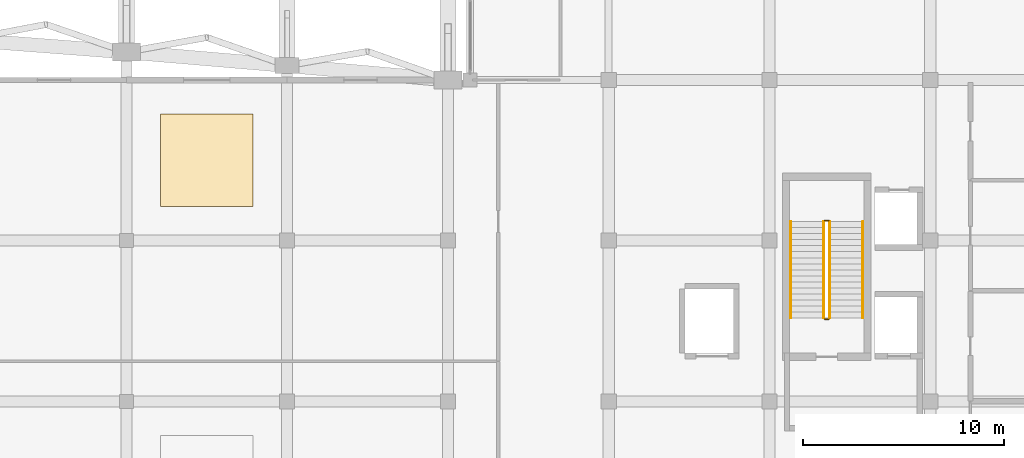
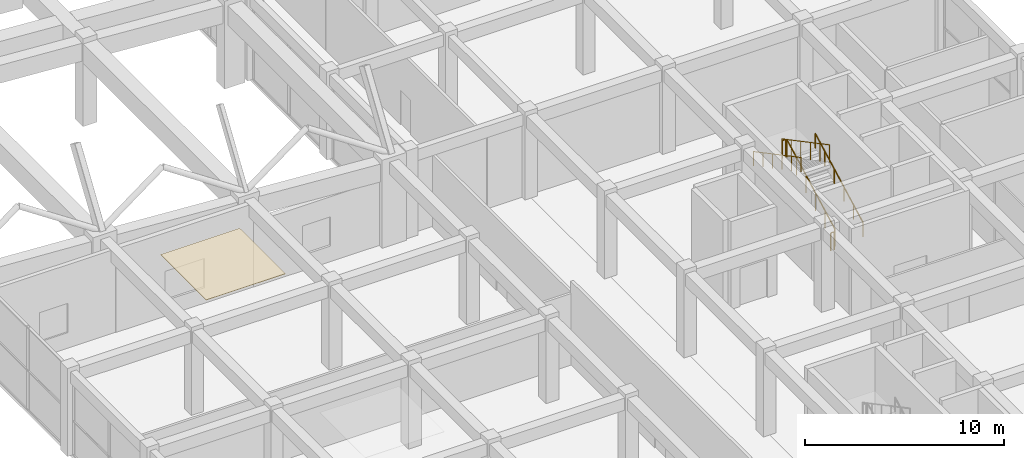
# One storey, part 68 of 69: 6 railings, 1 covering.
"""IFC4 building model written with IfcOpenShell, lengths in metres."""

import ifcopenshell
import ifcopenshell.guid

model = None  # the IFC model being written
_history = None  # IfcOwnerHistory: only IFC2X3 demands one
_inside = {}  # id of a spatial element -> (the spatial element, [elements in it])
_under = {}  # id of a project, library or spatial element -> (it, [spatial elements below it])
_declared = {}  # id of a project -> (the project, [libraries it declares])
_typed = {}  # id of a type object -> (the type object, [elements of that type])
_made_of = {}  # id of a material, layer set ... -> (it, [elements and type objects made of it])


def new_model(schema):
    """Start an empty IFC model of exactly this schema.

    Asked for "IFC4X3", IfcOpenShell would pick the latest addendum, in which some entities
    have other attributes; the version numbers below select the first issue.
    IFC2X3 requires an IfcOwnerHistory on every rooted entity: one is made here for all.
    """
    global model, _history
    if schema == "IFC4X3":
        model = ifcopenshell.file(schema_version=(4, 3, 0, 0))
    else:
        model = ifcopenshell.file(schema=schema)
    _inside.clear()
    _under.clear()
    _declared.clear()
    _typed.clear()
    _made_of.clear()
    _history = None
    if model.schema == "IFC2X3":
        org = make("IfcOrganization", Name="unknown")
        user = make(
            "IfcPersonAndOrganization",
            ThePerson=make("IfcPerson", FamilyName="unknown"),
            TheOrganization=org,
        )
        app = make(
            "IfcApplication",
            ApplicationDeveloper=org,
            Version="unknown",
            ApplicationFullName="unknown",
            ApplicationIdentifier="unknown",
        )
        _history = make(
            "IfcOwnerHistory",
            OwningUser=user,
            OwningApplication=app,
            ChangeAction="ADDED",
            CreationDate=0,
        )
    return model


def make(cls, **values):
    """One entity of the class cls with the attributes given. An attribute that is None is left unset."""
    return model.create_entity(
        cls, **{name: value for name, value in values.items() if value is not None}
    )


def rooted(cls, **values):
    """An entity with a GlobalId (a new one), such as an element, a storey or a relation."""
    return make(cls, GlobalId=ifcopenshell.guid.new(), OwnerHistory=_history, **values)


def si_unit(unit_type, name, prefix=None):
    """IfcSIUnit, for example si_unit("LENGTHUNIT", "METRE", prefix="MILLI")."""
    return make("IfcSIUnit", UnitType=unit_type, Prefix=prefix, Name=name)


def assignment(units):
    """IfcUnitAssignment: the units of a project."""
    return None if units is None else make("IfcUnitAssignment", Units=units)


def point(xyz):
    """IfcCartesianPoint."""
    return None if xyz is None else make("IfcCartesianPoint", Coordinates=xyz)


def direction(xyz):
    """IfcDirection."""
    return None if xyz is None else make("IfcDirection", DirectionRatios=xyz)


def frame(location, z_axis=None, x_axis=None):
    """IfcAxis2Placement3D, a coordinate frame: its origin and axes. An axis left out is left unset."""
    return make(
        "IfcAxis2Placement3D",
        Location=point(location),
        Axis=direction(z_axis),
        RefDirection=direction(x_axis),
    )


def frame_2d(location, x_axis=None):
    """IfcAxis2Placement2D, a coordinate frame in the plane: its origin and x axis."""
    return make(
        "IfcAxis2Placement2D", Location=point(location), RefDirection=direction(x_axis)
    )


def origin():
    """The frame at (0, 0, 0) with its axes left unset."""
    return frame((0.0, 0.0, 0.0))


def origin_2d():
    """The frame at (0, 0) in the plane with its x axis left unset."""
    return frame_2d((0.0, 0.0))


def place(relative_to, where):
    """IfcLocalPlacement: puts the frame where relative to a parent placement (None: the world)."""
    return make(
        "IfcLocalPlacement", PlacementRelTo=relative_to, RelativePlacement=where
    )


def context(
    kind, dimensions, precision=None, world=None, true_north=None, identifier=None
):
    """IfcGeometricRepresentationContext, for example the 3D "Model" context."""
    return make(
        "IfcGeometricRepresentationContext",
        ContextIdentifier=identifier,
        ContextType=kind,
        CoordinateSpaceDimension=dimensions,
        Precision=precision,
        WorldCoordinateSystem=world,
        TrueNorth=true_north,
    )


def subcontext(parent, identifier, kind, view, scale=None):
    """IfcGeometricRepresentationSubContext, for example "Body" below "Model"."""
    return make(
        "IfcGeometricRepresentationSubContext",
        ContextIdentifier=identifier,
        ContextType=kind,
        ParentContext=parent,
        TargetScale=scale,
        TargetView=view,
    )


def project(units=None, contexts=None):
    """IfcProject with its units and contexts."""
    return rooted(
        "IfcProject",
        Name="project",
        RepresentationContexts=contexts,
        UnitsInContext=assignment(units),
    )


def spatial(cls, under=None, at=None, **own):
    """A site, building, storey or space (cls), placed at a placement, below another one or the project."""
    s = rooted(cls, ObjectPlacement=at, **own)
    if under is not None:
        _under.setdefault(under.id(), (under, []))[1].append(s)
    return s


def profile(cls, at=None, kind="AREA", **sizes):
    """A parametric profile (cls). Its sizes go by their IFC names, for example OverallWidth=200.0."""
    return make(cls, ProfileType=kind, Position=at, **sizes)


def rectangle(**sizes):
    """IfcRectangleProfileDef."""
    return profile("IfcRectangleProfileDef", **sizes)


def circle(**sizes):
    """IfcCircleProfileDef."""
    return profile("IfcCircleProfileDef", **sizes)


def extrude(swept, where, along, depth):
    """IfcExtrudedAreaSolid: the profile swept, set in the frame where, extruded along a direction by depth."""
    return make(
        "IfcExtrudedAreaSolid",
        SweptArea=swept,
        Position=where,
        ExtrudedDirection=direction(along),
        Depth=depth,
    )


def shape(context_of_items, identifier, shape_type, items):
    """IfcShapeRepresentation: the items that make up one representation, for example the "Body"."""
    return make(
        "IfcShapeRepresentation",
        ContextOfItems=context_of_items,
        RepresentationIdentifier=identifier,
        RepresentationType=shape_type,
        Items=items,
    )


def material(Name=None, Category=None):
    """IfcMaterial."""
    return make("IfcMaterial", Name=Name, Category=Category)


def layer(
    of_material, thickness, ventilated=None, Name=None, Category=None, Priority=None
):
    """IfcMaterialLayer: one layer of a wall or slab, of a material (None: an air gap)."""
    return make(
        "IfcMaterialLayer",
        Material=of_material,
        LayerThickness=thickness,
        IsVentilated=ventilated,
        Name=Name,
        Category=Category,
        Priority=Priority,
    )


def layer_set(layers, Name=None):
    """IfcMaterialLayerSet."""
    return make("IfcMaterialLayerSet", MaterialLayers=layers, LayerSetName=Name)


def made_of(thing, what):
    """Note that an element or type object is made of a material, layer set ...; save() writes the relation."""
    if what is not None:
        _made_of.setdefault(what.id(), (what, []))[1].append(thing)
    return thing


def type_object(cls, material=None, **own):
    """A type object (cls), such as IfcWallType, which elements share."""
    return made_of(rooted(cls, **own), material)


def element(
    cls,
    number,
    at=None,
    inside=None,
    cuts=None,
    type_object=None,
    material=None,
    context=None,
    identifier="Body",
    shape_type=None,
    held_by="IfcProductDefinitionShape",
    body=None,
    shapes=None,
    **own,
):
    """One element of the class cls, such as IfcWall. Its Tag is "e" and its number.

    at: its placement. inside: the storey or other place that contains it. cuts: it is an
    opening in that element (IfcRelVoidsElement). A single representation is given by context,
    identifier, shape_type and body (its items); several are given by shapes. held_by: the class
    of the entity that holds the representations. save() writes the other relations.
    """
    e = rooted(cls, Tag="e%d" % number, ObjectPlacement=at, **own)
    if body is not None:
        shapes = [shape(context, identifier, shape_type, body)]
    if shapes is not None:
        e.Representation = make(held_by, Representations=shapes)
    if inside is not None:
        _inside.setdefault(inside.id(), (inside, []))[1].append(e)
    if cuts is not None:
        rooted(
            "IfcRelVoidsElement", RelatingBuildingElement=cuts, RelatedOpeningElement=e
        )
    if type_object is not None:
        _typed.setdefault(type_object.id(), (type_object, []))[1].append(e)
    return made_of(e, material)


def aggregate(whole, parts):
    """IfcRelAggregates: a whole, such as a stair, and the parts it consists of."""
    return rooted("IfcRelAggregates", RelatingObject=whole, RelatedObjects=parts)


def save(model, path):
    """Write the relations noted so far, then the file.

    IfcRelAggregates (storeys below a building ...), IfcRelContainedInSpatialStructure (elements
    in a storey), IfcRelDefinesByType, IfcRelAssociatesMaterial and IfcRelDeclares: one each for
    every whole, place, type object, material and project.
    """
    for whole, parts in _under.values():
        aggregate(whole, parts)
    for where, things in _inside.values():
        rooted(
            "IfcRelContainedInSpatialStructure",
            RelatedElements=things,
            RelatingStructure=where,
        )
    for kind, things in _typed.values():
        rooted("IfcRelDefinesByType", RelatedObjects=things, RelatingType=kind)
    for what, things in _made_of.values():
        rooted("IfcRelAssociatesMaterial", RelatedObjects=things, RelatingMaterial=what)
    for by, libraries in _declared.values():
        rooted("IfcRelDeclares", RelatingContext=by, RelatedDefinitions=libraries)
    model.write(path)


model = new_model("IFC4")

# Units and contexts
model_context = context("Model", 3, precision=1e-05, world=origin(), true_north=direction((0.0, 1.0)))
body_context = subcontext(model_context, "Body", "Model", "MODEL_VIEW")
ifc_project = project(units=[si_unit("LENGTHUNIT", "METRE"), si_unit("AREAUNIT", "SQUARE_METRE"), si_unit("VOLUMEUNIT", "CUBIC_METRE"), si_unit("PLANEANGLEUNIT", "RADIAN"), si_unit("MASSUNIT", "GRAM", prefix="KILO")], contexts=[model_context])

# Site, building, storey
site_placement = place(None, origin())
site = spatial("IfcSite", under=ifc_project, at=site_placement, CompositionType="ELEMENT")
building_placement = place(site_placement, origin())
building = spatial("IfcBuilding", under=site, at=building_placement, Name="Kenh Van Central Station", CompositionType="ELEMENT")
storey_placement = place(building_placement, frame((0.0, 0.0, 5.39990234375)))
storey = spatial("IfcBuildingStorey", under=building, at=storey_placement, Name="L01", CompositionType="ELEMENT", Elevation=5.39990234375)

# Covering
ifc_material_1 = material(Name="Perforated acoustic mineral ceiling board")
ifc_layer = layer(ifc_material_1, 0.02490234375, Name="Perforated acoustic mineral ceiling board")
ifc_layer_set = layer_set([ifc_layer], Name="Perforated acoustic mineral ceiling board")
covering_type = type_object("IfcCoveringType", Name="COV-CEIL-ACOUST", PredefinedType="CEILING", material=ifc_layer_set)
covering_placement = place(storey_placement, frame((132.0, 60.0, 5.1171875), z_axis=(0.0, 0.0, 1.0), x_axis=(1.0, 0.0, 0.0)))
element("IfcCovering", 1, at=covering_placement, inside=storey, type_object=covering_type, Name="L01 acoustic ceiling panel 040", PredefinedType="CEILING", context=body_context, shape_type="SweptSolid", body=[
    extrude(rectangle(XDim=4.60009765625, YDim=4.60009765625, at=origin_2d()), origin(), (0.0, 0.0, 1.0), 0.02490234375),
])

# Railings
ifc_material_2 = material(Name="Champagne anodised aluminium", Category="aluminium")
railing_type_1 = type_object("IfcRailingType", Name="RAIL-CORE-GRD110", PredefinedType="GUARDRAIL", material=ifc_material_2)
railing_1_placement = place(storey_placement, frame((163.0, 52.14990234375, 0.158935546875)))
element("IfcRailing", 2, at=railing_1_placement, inside=storey, type_object=railing_type_1, Name="L01 ST-10 stair guard 1", PredefinedType="GUARDRAIL", context=body_context, shape_type="SweptSolid", body=[
    extrude(circle(Radius=0.02392578125, at=origin_2d()), frame((0.0, 0.0, 1.076171875), z_axis=(0.0, 0.883783542688, 0.467895981682), x_axis=(-1.0, 0.0, 0.0)), (0.0, 0.0, 1.0), 5.43115234375),
    extrude(circle(Radius=0.02099609375, at=origin_2d()), origin(), (0.0, 0.0, 1.0), 1.052001953125),
    extrude(circle(Radius=0.02099609375, at=origin_2d()), frame((0.0, 0.9599609375, 0.50830078125)), (0.0, 0.0, 1.0), 1.052001953125),
    extrude(circle(Radius=0.02099609375, at=origin_2d()), frame((0.0, 1.919921875, 1.0166015625)), (0.0, 0.0, 1.0), 1.052001953125),
    extrude(circle(Radius=0.02099609375, at=origin_2d()), frame((0.0, 2.880126953125, 1.524658203125)), (0.0, 0.0, 1.0), 1.052001953125),
    extrude(circle(Radius=0.02099609375, at=origin_2d()), frame((0.0, 3.840087890625, 2.032958984375)), (0.0, 0.0, 1.0), 1.052001953125),
    extrude(circle(Radius=0.02099609375, at=origin_2d()), frame((0.0, 4.800048828125, 2.541259765625)), (0.0, 0.0, 1.0), 1.052001953125),
])
railing_2_placement = place(storey_placement, frame((162.949951171875, 57.0, 2.7001953125)))
element("IfcRailing", 3, at=railing_2_placement, inside=storey, type_object=railing_type_1, Name="L01 ST-10 stair guard 2", PredefinedType="GUARDRAIL", context=body_context, shape_type="SweptSolid", body=[
    extrude(circle(Radius=0.02392578125, at=origin_2d()), frame((0.0, 0.0, 1.076171875), z_axis=(-1.0, 0.0, 0.0), x_axis=(0.0, -1.0, 0.0)), (0.0, 0.0, 1.0), 0.199951171875),
    extrude(circle(Radius=0.02099609375, at=origin_2d()), origin(), (0.0, 0.0, 1.0), 1.052001953125),
    extrude(circle(Radius=0.02099609375, at=origin_2d()), frame((-0.199951171875, 0.0, 0.0)), (0.0, 0.0, 1.0), 1.052001953125),
])
railing_3_placement = place(storey_placement, frame((162.699951171875, 56.949951171875, 2.85888671875)))
element("IfcRailing", 4, at=railing_3_placement, inside=storey, type_object=railing_type_1, Name="L01 ST-10 stair guard 3", PredefinedType="GUARDRAIL", context=body_context, shape_type="SweptSolid", body=[
    extrude(circle(Radius=0.02392578125, at=origin_2d()), frame((0.0, 0.0, 1.076171875), z_axis=(0.0, -0.883783542688, 0.467895981682), x_axis=(1.0, 0.0, 0.0)), (0.0, 0.0, 1.0), 5.43115234375),
    extrude(circle(Radius=0.02099609375, at=origin_2d()), origin(), (0.0, 0.0, 1.0), 1.052001953125),
    extrude(circle(Radius=0.02099609375, at=origin_2d()), frame((0.0, -0.9599609375, 0.50830078125)), (0.0, 0.0, 1.0), 1.052001953125),
    extrude(circle(Radius=0.02099609375, at=origin_2d()), frame((0.0, -1.919921875, 1.0166015625)), (0.0, 0.0, 1.0), 1.052001953125),
    extrude(circle(Radius=0.02099609375, at=origin_2d()), frame((0.0, -2.880126953125, 1.524658203125)), (0.0, 0.0, 1.0), 1.052001953125),
    extrude(circle(Radius=0.02099609375, at=origin_2d()), frame((0.0, -3.840087890625, 2.032958984375)), (0.0, 0.0, 1.0), 1.052001953125),
    extrude(circle(Radius=0.02099609375, at=origin_2d()), frame((0.0, -4.800048828125, 2.541259765625)), (0.0, 0.0, 1.0), 1.052001953125),
])
railing_4_placement = place(storey_placement, frame((162.949951171875, 52.10009765625, 0.0)))
element("IfcRailing", 5, at=railing_4_placement, inside=storey, type_object=railing_type_1, Name="L01 ST-10 stair guard 4", PredefinedType="GUARDRAIL", context=body_context, shape_type="SweptSolid", body=[
    extrude(circle(Radius=0.02392578125, at=origin_2d()), frame((0.0, 0.0, 1.076171875), z_axis=(-1.0, 0.0, 0.0), x_axis=(0.0, -1.0, 0.0)), (0.0, 0.0, 1.0), 0.199951171875),
    extrude(circle(Radius=0.02099609375, at=origin_2d()), origin(), (0.0, 0.0, 1.0), 1.052001953125),
    extrude(circle(Radius=0.02099609375, at=origin_2d()), frame((-0.199951171875, 0.0, 0.0)), (0.0, 0.0, 1.0), 1.052001953125),
])
railing_type_2 = type_object("IfcRailingType", Name="RAIL-CORE-HND90", PredefinedType="HANDRAIL", material=ifc_material_2)
railing_5_placement = place(storey_placement, frame((164.64990234375, 52.14990234375, 0.158935546875)))
element("IfcRailing", 6, at=railing_5_placement, inside=storey, type_object=railing_type_2, Name="L01 ST-10 stair handrail 1", PredefinedType="HANDRAIL", context=body_context, shape_type="SweptSolid", body=[
    extrude(circle(Radius=0.02392578125, at=origin_2d()), frame((0.0, 0.0, 0.8759765625), z_axis=(0.0, 0.883783542688, 0.467895981682), x_axis=(-1.0, 0.0, 0.0)), (0.0, 0.0, 1.0), 5.43115234375),
    extrude(circle(Radius=0.02099609375, at=origin_2d()), origin(), (0.0, 0.0, 1.0), 0.851806640625),
    extrude(circle(Radius=0.02099609375, at=origin_2d()), frame((0.0, 0.9599609375, 0.50830078125)), (0.0, 0.0, 1.0), 0.851806640625),
    extrude(circle(Radius=0.02099609375, at=origin_2d()), frame((0.0, 1.919921875, 1.0166015625)), (0.0, 0.0, 1.0), 0.851806640625),
    extrude(circle(Radius=0.02099609375, at=origin_2d()), frame((0.0, 2.880126953125, 1.524658203125)), (0.0, 0.0, 1.0), 0.851806640625),
    extrude(circle(Radius=0.02099609375, at=origin_2d()), frame((0.0, 3.840087890625, 2.032958984375)), (0.0, 0.0, 1.0), 0.851806640625),
    extrude(circle(Radius=0.02099609375, at=origin_2d()), frame((0.0, 4.800048828125, 2.541259765625)), (0.0, 0.0, 1.0), 0.851806640625),
])
railing_6_placement = place(storey_placement, frame((161.050048828125, 56.949951171875, 2.85888671875)))
element("IfcRailing", 7, at=railing_6_placement, inside=storey, type_object=railing_type_2, Name="L01 ST-10 stair handrail 2", PredefinedType="HANDRAIL", context=body_context, shape_type="SweptSolid", body=[
    extrude(circle(Radius=0.02392578125, at=origin_2d()), frame((0.0, 0.0, 0.8759765625), z_axis=(0.0, -0.883783542688, 0.467895981682), x_axis=(1.0, 0.0, 0.0)), (0.0, 0.0, 1.0), 5.43115234375),
    extrude(circle(Radius=0.02099609375, at=origin_2d()), origin(), (0.0, 0.0, 1.0), 0.851806640625),
    extrude(circle(Radius=0.02099609375, at=origin_2d()), frame((0.0, -0.9599609375, 0.50830078125)), (0.0, 0.0, 1.0), 0.851806640625),
    extrude(circle(Radius=0.02099609375, at=origin_2d()), frame((0.0, -1.919921875, 1.0166015625)), (0.0, 0.0, 1.0), 0.851806640625),
    extrude(circle(Radius=0.02099609375, at=origin_2d()), frame((0.0, -2.880126953125, 1.524658203125)), (0.0, 0.0, 1.0), 0.851806640625),
    extrude(circle(Radius=0.02099609375, at=origin_2d()), frame((0.0, -3.840087890625, 2.032958984375)), (0.0, 0.0, 1.0), 0.851806640625),
    extrude(circle(Radius=0.02099609375, at=origin_2d()), frame((0.0, -4.800048828125, 2.541259765625)), (0.0, 0.0, 1.0), 0.851806640625),
])

save(model, "model.ifc")
